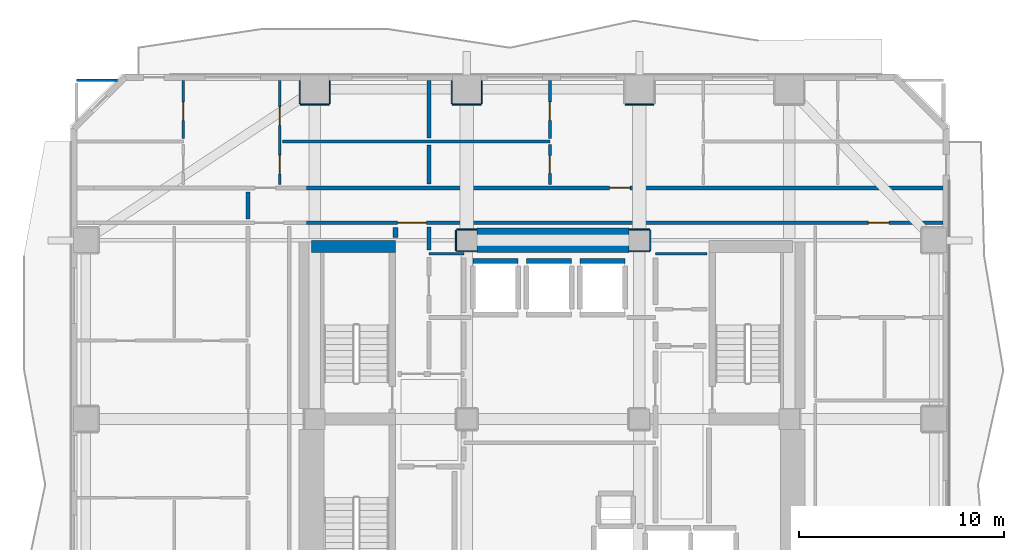
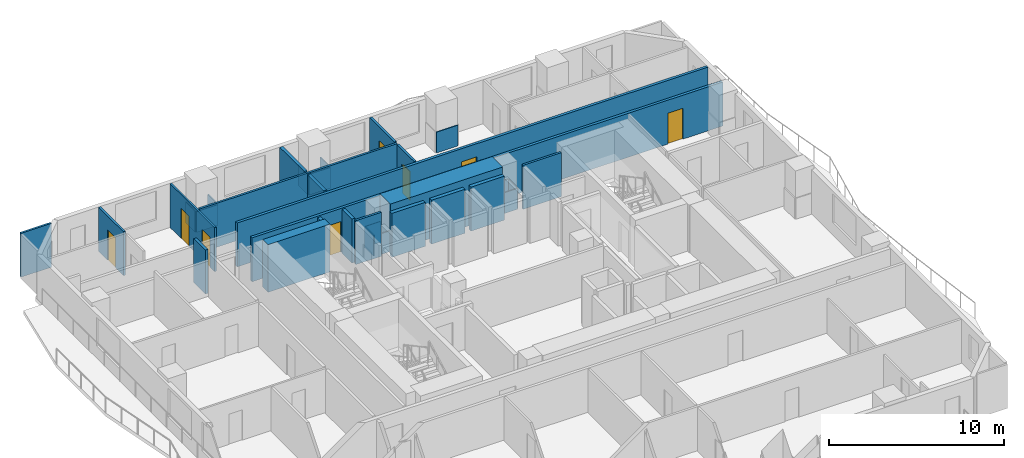
# One storey, part 6 of 11: 33 walls, 8 doors, 8 openings.
"""IFC4 building model written with IfcOpenShell, lengths in metres."""

from ifc_helpers import new_model, si_unit, direction, frame, frame_2d, origin, place, context, subcontext, project, spatial, rectangle, extrude, material, layer, layer_set, type_object, element, fill, save


model = new_model("IFC4")

# Units and contexts
model_context = context("Model", 3, precision=1e-05, world=origin(), true_north=direction((0.0, 1.0)))
body_context = subcontext(model_context, "Body", "Model", "MODEL_VIEW")
ifc_project = project(units=[si_unit("LENGTHUNIT", "METRE"), si_unit("AREAUNIT", "SQUARE_METRE"), si_unit("VOLUMEUNIT", "CUBIC_METRE"), si_unit("PLANEANGLEUNIT", "RADIAN"), si_unit("MASSUNIT", "GRAM", prefix="KILO")], contexts=[model_context])

# Site, building, storey
site_placement = place(None, origin())
site = spatial("IfcSite", under=ifc_project, at=site_placement, CompositionType="ELEMENT")
building_placement = place(site_placement, origin())
building = spatial("IfcBuilding", under=site, at=building_placement, Name="Solanera Arch Residences", CompositionType="ELEMENT")
storey_placement = place(building_placement, frame((0.0, 0.0, 28.639892578125)))
storey = spatial("IfcBuildingStorey", under=building, at=storey_placement, Name="L07", CompositionType="ELEMENT", Elevation=28.639892578125)

# Walls
ifc_material_1 = material(Name="Fire-Rated Gypsum Stud Partition", Category="gypsum")
ifc_layer_1 = layer(ifc_material_1, 0.06005859375)
ifc_layer_set_1 = layer_set([ifc_layer_1], Name="Fire-Rated Gypsum Stud Partition")
wall_type_1 = type_object("IfcWallType", Name="Column Acoustic Furring Wall 60", PredefinedType="PARTITIONING", material=ifc_layer_set_1)
for number, where, z_axis, x_axis, name in (
    (1, (20.300048828125, 38.867919921875, 0.0), (0.0, 0.0, 1.0), (1.0, 0.0, 0.0), "L07 Column Furring 3S"),
    (2, (20.300048828125, 39.931884765625, 0.0), (0.0, 0.0, 1.0), (1.0, 0.0, 0.0), "L07 Column Furring 3N"),
):
    element("IfcWall", number, at=place(storey_placement, frame(where, z_axis=z_axis, x_axis=x_axis)), inside=storey, type_object=wall_type_1, Name=name, PredefinedType="PARTITIONING", context=body_context, shape_type="SweptSolid", body=[
        extrude(rectangle(XDim=0.989990234375, YDim=0.06005859375, at=frame_2d((0.4951171875, 0.0))), origin(), (0.0, 0.0, 1.0), 1.4501953125),
    ])
wall_1_placement = place(storey_placement, frame((20.26806640625, 38.89990234375, 0.0), z_axis=(0.0, 0.0, 1.0), x_axis=(0.0, 1.0, 0.0)))
element("IfcWall", 3, at=wall_1_placement, inside=storey, type_object=wall_type_1, Name="L07 Column Furring 3W", PredefinedType="PARTITIONING", context=body_context, shape_type="SweptSolid", body=[
    extrude(rectangle(XDim=1.0, YDim=0.06005859375, at=frame_2d((0.5, 0.0))), origin(), (0.0, 0.0, 1.0), 1.4501953125),
])
for number, where, z_axis, x_axis, name in (
    (4, (28.7099609375, 38.867919921875, 0.0), (0.0, 0.0, 1.0), (1.0, 0.0, 0.0), "L07 Column Furring 4S"),
    (5, (28.7099609375, 39.931884765625, 0.0), (0.0, 0.0, 1.0), (1.0, 0.0, 0.0), "L07 Column Furring 4N"),
):
    element("IfcWall", number, at=place(storey_placement, frame(where, z_axis=z_axis, x_axis=x_axis)), inside=storey, type_object=wall_type_1, Name=name, PredefinedType="PARTITIONING", context=body_context, shape_type="SweptSolid", body=[
        extrude(rectangle(XDim=0.989990234375, YDim=0.06005859375, at=frame_2d((0.4951171875, 0.0))), origin(), (0.0, 0.0, 1.0), 1.4501953125),
    ])
wall_2_placement = place(storey_placement, frame((29.73193359375, 38.89990234375, 0.0), z_axis=(0.0, 0.0, 1.0), x_axis=(0.0, 1.0, 0.0)))
element("IfcWall", 6, at=wall_2_placement, inside=storey, type_object=wall_type_1, Name="L07 Column Furring 4E", PredefinedType="PARTITIONING", context=body_context, shape_type="SweptSolid", body=[
    extrude(rectangle(XDim=1.0, YDim=0.06005859375, at=frame_2d((0.5, 0.0))), origin(), (0.0, 0.0, 1.0), 1.4501953125),
])
wall_3_placement = place(storey_placement, frame((12.699951171875, 46.01806640625, 0.0), z_axis=(0.0, 0.0, 1.0), x_axis=(1.0, 0.0, 0.0)))
element("IfcWall", 7, at=wall_3_placement, inside=storey, type_object=wall_type_1, Name="L07 Column Furring 10S", PredefinedType="PARTITIONING", context=body_context, shape_type="SweptSolid", body=[
    extrude(rectangle(XDim=1.400146484375, YDim=0.06005859375, at=frame_2d((0.7001953125, 0.0))), origin(), (0.0, 0.0, 1.0), 1.4501953125),
])
for number, where, z_axis, x_axis, name in (
    (8, (12.66796875, 46.050048828125, 0.0), (0.0, 0.0, 1.0), (0.0, 1.0, 0.0), "L07 Column Furring 10W"),
    (9, (14.132080078125, 46.050048828125, 0.0), (0.0, 0.0, 1.0), (0.0, 1.0, 0.0), "L07 Column Furring 10E"),
):
    element("IfcWall", number, at=place(storey_placement, frame(where, z_axis=z_axis, x_axis=x_axis)), inside=storey, type_object=wall_type_1, Name=name, PredefinedType="PARTITIONING", context=body_context, shape_type="SweptSolid", body=[
        extrude(rectangle(XDim=1.119873046875, YDim=0.06005859375, at=frame_2d((0.56005859375, 0.0))), origin(), (0.0, 0.0, 1.0), 1.4501953125),
    ])
wall_4_placement = place(storey_placement, frame((20.10009765625, 46.01806640625, 0.0), z_axis=(0.0, 0.0, 1.0), x_axis=(1.0, 0.0, 0.0)))
element("IfcWall", 10, at=wall_4_placement, inside=storey, type_object=wall_type_1, Name="L07 Column Furring 12S", PredefinedType="PARTITIONING", context=body_context, shape_type="SweptSolid", body=[
    extrude(rectangle(XDim=1.39990234375, YDim=0.06005859375, at=frame_2d((0.699951171875, 0.0))), origin(), (0.0, 0.0, 1.0), 1.4501953125),
])
for number, where, z_axis, x_axis, name in (
    (11, (20.068115234375, 46.050048828125, 0.0), (0.0, 0.0, 1.0), (0.0, 1.0, 0.0), "L07 Column Furring 12W"),
    (12, (21.531982421875, 46.050048828125, 0.0), (0.0, 0.0, 1.0), (0.0, 1.0, 0.0), "L07 Column Furring 12E"),
):
    element("IfcWall", number, at=place(storey_placement, frame(where, z_axis=z_axis, x_axis=x_axis)), inside=storey, type_object=wall_type_1, Name=name, PredefinedType="PARTITIONING", context=body_context, shape_type="SweptSolid", body=[
        extrude(rectangle(XDim=1.119873046875, YDim=0.06005859375, at=frame_2d((0.56005859375, 0.0))), origin(), (0.0, 0.0, 1.0), 1.4501953125),
    ])
wall_5_placement = place(storey_placement, frame((28.5, 46.01806640625, 0.0), z_axis=(0.0, 0.0, 1.0), x_axis=(1.0, 0.0, 0.0)))
element("IfcWall", 13, at=wall_5_placement, inside=storey, type_object=wall_type_1, Name="L07 Column Furring 14S", PredefinedType="PARTITIONING", context=body_context, shape_type="SweptSolid", body=[
    extrude(rectangle(XDim=1.39990234375, YDim=0.06005859375, at=frame_2d((0.699951171875, 0.0))), origin(), (0.0, 0.0, 1.0), 1.4501953125),
])
ifc_material_2 = material(Name="Concrete C55/67 (f'c = 60 MPa)", Category="concrete")
ifc_layer_2 = layer(ifc_material_2, 1.199951171875)
ifc_layer_set_2 = layer_set([ifc_layer_2], Name="Concrete C55/67 (f'c = 60 MPa)")
wall_type_2 = type_object("IfcWallType", Name="Core Shear Wall CW-1200", PredefinedType="SHEAR", material=ifc_layer_set_2)
wall_6_placement = place(storey_placement, frame((21.304931640625, 39.39990234375, 0.0), z_axis=(0.0, 0.0, 1.0), x_axis=(1.0, 0.0, 0.0)))
element("IfcWall", 14, at=wall_6_placement, inside=storey, type_object=wall_type_2, Name="L07 Central North Core Shear Wall", PredefinedType="SHEAR", context=body_context, shape_type="SweptSolid", body=[
    extrude(rectangle(XDim=7.39013671875, YDim=1.199951171875, at=frame_2d((3.695068359375, 0.0))), origin(), (0.0, 0.0, 1.0), 3.320068359375),
])
ifc_material_3 = material(Name="Concrete C40/50 (f'c = 45 MPa)", Category="concrete")
ifc_layer_3 = layer(ifc_material_3, 0.60009765625)
ifc_layer_set_3 = layer_set([ifc_layer_3], Name="Concrete C40/50 (f'c = 45 MPa)")
wall_type_3 = type_object("IfcWallType", Name="Core Shear Wall CW-600", PredefinedType="SHEAR", material=ifc_layer_set_3)
wall_7_placement = place(storey_placement, frame((13.239990234375, 39.10009765625, 0.0), z_axis=(0.0, 0.0, 1.0), x_axis=(1.0, 0.0, 0.0)))
element("IfcWall", 15, at=wall_7_placement, inside=storey, type_object=wall_type_3, Name="L07 North-West Core Shear Wall", PredefinedType="SHEAR", context=body_context, shape_type="SweptSolid", body=[
    extrude(rectangle(XDim=4.080078125, YDim=0.60009765625, at=frame_2d((2.0400390625, 0.0))), origin(), (0.0, 0.0, 1.0), 3.320068359375),
])

# Wall, openings, doors
ifc_material_4 = material(Name="Autoclaved Aerated Concrete Blockwork", Category="masonry")
ifc_layer_4 = layer(ifc_material_4, 0.179931640625)
ifc_layer_set_4 = layer_set([ifc_layer_4], Name="Autoclaved Aerated Concrete Blockwork")
wall_type_4 = type_object("IfcWallType", Name="Corridor Fire Partition 180", PredefinedType="PARTITIONING", material=ifc_layer_set_4)
wall_8_placement = place(storey_placement, frame((12.989013671875, 40.25, 0.0), z_axis=(0.0, 0.0, 1.0), x_axis=(1.0, 0.0, 0.0)))
wall_8 = element("IfcWall", 16, at=wall_8_placement, inside=storey, type_object=wall_type_4, Name="L07 Interior Partition H11 3", PredefinedType="PARTITIONING", context=body_context, shape_type="SweptSolid", body=[
    extrude(rectangle(XDim=30.98388671875, YDim=0.179931640625, at=frame_2d((15.491943359375, 0.0))), origin(), (0.0, 0.0, 1.0), 3.06005859375),
])
opening_1_placement = place(wall_8_placement, frame((4.446044921875, 0.0, 0.0)))
opening_1 = element("IfcOpeningElement", 17, at=opening_1_placement, cuts=wall_8, Name="Opening DF-03", PredefinedType="OPENING", context=body_context, shape_type="SweptSolid", body=[
    extrude(rectangle(XDim=1.39990234375, YDim=2.14990234375, at=frame_2d((0.699951171875, 1.074951171875))), frame((0.0, 0.10009765625, 0.0), z_axis=(0.0, -1.0, 0.0), x_axis=(1.0, 0.0, 0.0)), (0.0, 0.0, 1.0), 0.1999),
])
opening_2_placement = place(wall_8_placement, frame((27.362060546875, 0.0, 0.0)))
opening_2 = element("IfcOpeningElement", 18, at=opening_2_placement, cuts=wall_8, Name="Opening DI-01", PredefinedType="OPENING", context=body_context, shape_type="SweptSolid", body=[
    extrude(rectangle(XDim=1.0, YDim=2.14990234375, at=frame_2d((0.5, 1.074951171875))), frame((0.0, 0.10009765625, 0.0), z_axis=(0.0, -1.0, 0.0), x_axis=(1.0, 0.0, 0.0)), (0.0, 0.0, 1.0), 0.1999),
])
ifc_material_5 = material(Name="Fire-Rated Architectural Hardwood", Category="wood")
door_type_1 = type_object("IfcDoorType", Name="Corridor Smoke Door DF-03", OperationType="NOTDEFINED", PredefinedType="DOOR", material=ifc_material_5)
door_1_placement = place(opening_1_placement, origin())
door_1 = element("IfcDoor", 19, at=door_1_placement, inside=storey, type_object=door_type_1, Name="DR-L07-IN-009", OperationType="SINGLE_SWING_RIGHT", OverallHeight=2.14990234375, OverallWidth=1.39990234375, PredefinedType="DOOR", context=body_context, shape_type="SweptSolid", body=[
    extrude(rectangle(XDim=1.39990234375, YDim=2.14990234375, at=frame_2d((0.699951171875, 1.074951171875))), frame((0.0, 0.02490234375, 0.0), z_axis=(0.0, -1.0, 0.0), x_axis=(1.0, 0.0, 0.0)), (0.0, 0.0, 1.0), 0.050048828125),
])
fill(opening_1, door_1)
ifc_material_6 = material(Name="Fire-Rated Architectural Hardwood", Category="wood")
door_type_2 = type_object("IfcDoorType", Name="Unit Entrance Fire Door DI-01", OperationType="NOTDEFINED", PredefinedType="DOOR", material=ifc_material_6)
door_2_placement = place(opening_2_placement, origin())
door_2 = element("IfcDoor", 20, at=door_2_placement, inside=storey, type_object=door_type_2, Name="DR-L07-IN-046", OperationType="SINGLE_SWING_LEFT", OverallHeight=2.14990234375, OverallWidth=1.0, PredefinedType="DOOR", context=body_context, shape_type="SweptSolid", body=[
    extrude(rectangle(XDim=1.0, YDim=2.14990234375, at=frame_2d((0.5, 1.074951171875))), frame((0.0, 0.02490234375, 0.0), z_axis=(0.0, -1.0, 0.0), x_axis=(1.0, 0.0, 0.0)), (0.0, 0.0, 1.0), 0.050048828125),
])
fill(opening_2, door_2)

# Wall, opening, door
wall_9_placement = place(storey_placement, frame((12.989013671875, 41.949951171875, 0.0), z_axis=(0.0, 0.0, 1.0), x_axis=(1.0, 0.0, 0.0)))
wall_9 = element("IfcWall", 21, at=wall_9_placement, inside=storey, type_object=wall_type_4, Name="L07 Interior Partition H12 3", PredefinedType="PARTITIONING", context=body_context, shape_type="SweptSolid", body=[
    extrude(rectangle(XDim=30.98388671875, YDim=0.179931640625, at=frame_2d((15.491943359375, 0.0))), origin(), (0.0, 0.0, 1.0), 3.06005859375),
])
opening_3_placement = place(wall_9_placement, frame((14.764892578125, 0.0, 0.0)))
opening_3 = element("IfcOpeningElement", 22, at=opening_3_placement, cuts=wall_9, Name="Opening DI-01", PredefinedType="OPENING", context=body_context, shape_type="SweptSolid", body=[
    extrude(rectangle(XDim=1.0, YDim=2.14990234375, at=frame_2d((0.5, 1.074951171875))), frame((0.0, 0.10009765625, 0.0), z_axis=(0.0, -1.0, 0.0), x_axis=(1.0, 0.0, 0.0)), (0.0, 0.0, 1.0), 0.1999),
])
door_3_placement = place(opening_3_placement, origin())
door_3 = element("IfcDoor", 23, at=door_3_placement, inside=storey, type_object=door_type_2, Name="DR-L07-IN-033", OperationType="SINGLE_SWING_RIGHT", OverallHeight=2.14990234375, OverallWidth=1.0, PredefinedType="DOOR", context=body_context, shape_type="SweptSolid", body=[
    extrude(rectangle(XDim=1.0, YDim=2.14990234375, at=frame_2d((0.5, 1.074951171875))), frame((0.0, 0.02490234375, 0.0), z_axis=(0.0, -1.0, 0.0), x_axis=(1.0, 0.0, 0.0)), (0.0, 0.0, 1.0), 0.050048828125),
])
fill(opening_3, door_3)

# Walls
wall_10_placement = place(storey_placement, frame((10.14990234375, 40.43798828125, 0.0), z_axis=(0.0, 0.0, 1.0), x_axis=(0.0, 1.0, 0.0)))
element("IfcWall", 24, at=wall_10_placement, inside=storey, type_object=wall_type_4, Name="L07 Interior Partition V8 5", PredefinedType="PARTITIONING", context=body_context, shape_type="SweptSolid", body=[
    extrude(rectangle(XDim=1.323974609375, YDim=0.179931640625, at=frame_2d((0.662109375, 0.0))), origin(), (0.0, 0.0, 1.0), 3.06005859375),
])
ifc_material_7 = material(Name="Autoclaved Aerated Concrete Blockwork", Category="masonry")
ifc_layer_5 = layer(ifc_material_7, 0.199951171875)
ifc_layer_set_5 = layer_set([ifc_layer_5], Name="Autoclaved Aerated Concrete Blockwork")
wall_type_5 = type_object("IfcWallType", Name="Party Wall Acoustic 200", PredefinedType="PARTITIONING", material=ifc_layer_set_5)
wall_11_placement = place(storey_placement, frame((18.949951171875, 38.927978515625, 0.0), z_axis=(0.0, 0.0, 1.0), x_axis=(0.0, 1.0, 0.0)))
element("IfcWall", 25, at=wall_11_placement, inside=storey, type_object=wall_type_5, Name="L07 Interior Partition V6 3", PredefinedType="PARTITIONING", context=body_context, shape_type="SweptSolid", body=[
    extrude(rectangle(XDim=1.1240234375, YDim=0.199951171875, at=frame_2d((0.56201171875, 0.0))), origin(), (0.0, 0.0, 1.0), 3.06005859375),
])
wall_12_placement = place(storey_placement, frame((18.949951171875, 42.14794921875, 0.0), z_axis=(0.0, 0.0, 1.0), x_axis=(0.0, 1.0, 0.0)))
element("IfcWall", 26, at=wall_12_placement, inside=storey, type_object=wall_type_5, Name="L07 Interior Partition V7 1", PredefinedType="PARTITIONING", context=body_context, shape_type="SweptSolid", body=[
    extrude(rectangle(XDim=1.882080078125, YDim=0.199951171875, at=frame_2d((0.94091796875, 0.0))), origin(), (0.0, 0.0, 1.0), 3.06005859375),
])
wall_13_placement = place(storey_placement, frame((18.949951171875, 44.385986328125, 0.0), z_axis=(0.0, 0.0, 1.0), x_axis=(0.0, 1.0, 0.0)))
element("IfcWall", 27, at=wall_13_placement, inside=storey, type_object=wall_type_5, Name="L07 Interior Partition V7 2", PredefinedType="PARTITIONING", context=body_context, shape_type="SweptSolid", body=[
    extrude(rectangle(XDim=2.787109375, YDim=0.199951171875, at=frame_2d((1.3935546875, 0.0))), origin(), (0.0, 0.0, 1.0), 3.06005859375),
])
ifc_material_8 = material(Name="Autoclaved Aerated Concrete Blockwork", Category="masonry")
ifc_layer_6 = layer(ifc_material_8, 0.239990234375)
ifc_layer_set_6 = layer_set([ifc_layer_6], Name="Autoclaved Aerated Concrete Blockwork")
wall_type_6 = type_object("IfcWallType", Name="Shaft Wall Fire-Rated 240", PredefinedType="PARTITIONING", material=ifc_layer_set_6)
for number, where, z_axis, x_axis, name in (
    (28, (21.10009765625, 38.39990234375, 0.0), (0.0, 0.0, 1.0), (1.0, 0.0, 0.0), "L07 Lift PL-L1 Hoistway Wall N"),
    (29, (23.699951171875, 38.39990234375, 0.0), (0.0, 0.0, 1.0), (1.0, 0.0, 0.0), "L07 Lift PL-L2 Hoistway Wall N"),
    (30, (26.300048828125, 38.39990234375, 0.0), (0.0, 0.0, 1.0), (1.0, 0.0, 0.0), "L07 Lift PL-L3 Hoistway Wall N"),
):
    element("IfcWall", number, at=place(storey_placement, frame(where, z_axis=z_axis, x_axis=x_axis)), inside=storey, type_object=wall_type_6, Name=name, PredefinedType="PARTITIONING", context=body_context, shape_type="SweptSolid", body=[
        extrude(rectangle(XDim=2.199951171875, YDim=0.239990234375, at=frame_2d((1.10009765625, 0.0))), origin(), (0.0, 0.0, 1.0), 3.06005859375),
    ])
wall_14_placement = place(storey_placement, frame((17.320068359375, 39.530029296875, 0.0), z_axis=(0.0, 0.0, 1.0), x_axis=(0.0, 1.0, 0.0)))
element("IfcWall", 31, at=wall_14_placement, inside=storey, type_object=wall_type_6, Name="L07 Interior Partition V1", PredefinedType="PARTITIONING", context=body_context, shape_type="SweptSolid", body=[
    extrude(rectangle(XDim=0.501953125, YDim=0.239990234375, at=frame_2d((0.2509765625, 0.0))), origin(), (0.0, 0.0, 1.0), 3.06005859375),
])
ifc_material_9 = material(Name="Fire-Rated Gypsum Stud Partition", Category="gypsum")
ifc_layer_7 = layer(ifc_material_9, 0.1201171875)
ifc_layer_set_7 = layer_set([ifc_layer_7], Name="Fire-Rated Gypsum Stud Partition")
wall_type_7 = type_object("IfcWallType", Name="Unit Drywall Partition 120", PredefinedType="PARTITIONING", material=ifc_layer_set_7)
wall_15_placement = place(storey_placement, frame((1.800048828125, 47.199951171875, 0.0), z_axis=(0.0, 0.0, 1.0), x_axis=(1.0, 0.0, 0.0)))
element("IfcWall", 32, at=wall_15_placement, inside=storey, type_object=wall_type_7, Name="L07 Interior Partition H24 1", PredefinedType="PARTITIONING", context=body_context, shape_type="SweptSolid", body=[
    extrude(rectangle(XDim=2.0009765625, YDim=0.1201171875, at=frame_2d((1.00048828125, 0.0))), origin(), (0.0, 0.0, 1.0), 3.06005859375),
])

# Wall, openings, doors
wall_16_placement = place(storey_placement, frame((11.68798828125, 42.10791015625, 0.0), z_axis=(0.0, 0.0, 1.0), x_axis=(0.0, 1.0, 0.0)))
wall_16 = element("IfcWall", 33, at=wall_16_placement, inside=storey, type_object=wall_type_7, Name="L07 Interior Partition V23", PredefinedType="PARTITIONING", context=body_context, shape_type="SweptSolid", body=[
    extrude(rectangle(XDim=5.065185546875, YDim=0.1201171875, at=frame_2d((2.53271484375, 0.0))), origin(), (0.0, 0.0, 1.0), 3.06005859375),
])
opening_4_placement = place(wall_16_placement, frame((0.533935546875, 0.0, 0.0)))
opening_4 = element("IfcOpeningElement", 34, at=opening_4_placement, cuts=wall_16, Name="Opening DI-02", PredefinedType="OPENING", context=body_context, shape_type="SweptSolid", body=[
    extrude(rectangle(XDim=0.89990234375, YDim=2.10009765625, at=frame_2d((0.449951171875, 1.050048828125))), frame((0.0, 0.070068359375, 0.0), z_axis=(0.0, -1.0, 0.0), x_axis=(1.0, 0.0, 0.0)), (0.0, 0.0, 1.0), 0.1401),
])
opening_5_placement = place(wall_16_placement, frame((2.89306640625, 0.0, 0.0)))
opening_5 = element("IfcOpeningElement", 35, at=opening_5_placement, cuts=wall_16, Name="Opening DI-03", PredefinedType="OPENING", context=body_context, shape_type="SweptSolid", body=[
    extrude(rectangle(XDim=0.89990234375, YDim=2.10009765625, at=frame_2d((0.449951171875, 1.050048828125))), frame((0.0, 0.070068359375, 0.0), z_axis=(0.0, -1.0, 0.0), x_axis=(1.0, 0.0, 0.0)), (0.0, 0.0, 1.0), 0.1401),
])
ifc_material_10 = material(Name="Fire-Rated Architectural Hardwood", Category="wood")
door_type_3 = type_object("IfcDoorType", Name="Bedroom Swing Door DI-03", OperationType="NOTDEFINED", PredefinedType="DOOR", material=ifc_material_10)
door_4_placement = place(opening_5_placement, origin())
door_4 = element("IfcDoor", 36, at=door_4_placement, inside=storey, type_object=door_type_3, Name="DR-L07-IN-032", OperationType="SINGLE_SWING_LEFT", OverallHeight=2.10009765625, OverallWidth=0.89990234375, PredefinedType="DOOR", context=body_context, shape_type="SweptSolid", body=[
    extrude(rectangle(XDim=0.89990234375, YDim=2.10009765625, at=frame_2d((0.449951171875, 1.050048828125))), frame((0.0, 0.02490234375, 0.0), z_axis=(0.0, -1.0, 0.0), x_axis=(1.0, 0.0, 0.0)), (0.0, 0.0, 1.0), 0.050048828125),
])
fill(opening_5, door_4)
ifc_material_11 = material(Name="Fire-Rated Architectural Hardwood", Category="wood")
door_type_4 = type_object("IfcDoorType", Name="Suite Room Swing Door DI-02", OperationType="NOTDEFINED", PredefinedType="DOOR", material=ifc_material_11)
door_5_placement = place(opening_4_placement, origin())
door_5 = element("IfcDoor", 37, at=door_5_placement, inside=storey, type_object=door_type_4, Name="DR-L07-IN-031", OperationType="SINGLE_SWING_RIGHT", OverallHeight=2.10009765625, OverallWidth=0.89990234375, PredefinedType="DOOR", context=body_context, shape_type="SweptSolid", body=[
    extrude(rectangle(XDim=0.89990234375, YDim=2.10009765625, at=frame_2d((0.449951171875, 1.050048828125))), frame((0.0, 0.02490234375, 0.0), z_axis=(0.0, -1.0, 0.0), x_axis=(1.0, 0.0, 0.0)), (0.0, 0.0, 1.0), 0.050048828125),
])
fill(opening_4, door_5)

# Walls
ifc_material_12 = material(Name="Autoclaved Aerated Concrete Blockwork", Category="masonry")
ifc_layer_8 = layer(ifc_material_12, 0.139892578125)
ifc_layer_set_8 = layer_set([ifc_layer_8], Name="Autoclaved Aerated Concrete Blockwork")
wall_type_8 = type_object("IfcWallType", Name="Wet-Room Partition 140", PredefinedType="PARTITIONING", material=ifc_layer_set_8)
wall_17_placement = place(storey_placement, frame((18.949951171875, 38.75, 0.0), z_axis=(0.0, 0.0, 1.0), x_axis=(1.0, 0.0, 0.0)))
element("IfcWall", 38, at=wall_17_placement, inside=storey, type_object=wall_type_8, Name="L07 Interior Partition H17", PredefinedType="PARTITIONING", context=body_context, shape_type="SweptSolid", body=[
    extrude(rectangle(XDim=1.699951171875, YDim=0.139892578125, at=frame_2d((0.85009765625, 0.0))), origin(), (0.0, 0.0, 1.0), 3.06005859375),
])
wall_18_placement = place(storey_placement, frame((29.97509765625, 38.75, 0.0), z_axis=(0.0, 0.0, 1.0), x_axis=(1.0, 0.0, 0.0)))
element("IfcWall", 39, at=wall_18_placement, inside=storey, type_object=wall_type_8, Name="L07 Interior Partition H18", PredefinedType="PARTITIONING", context=body_context, shape_type="SweptSolid", body=[
    extrude(rectangle(XDim=2.52490234375, YDim=0.139892578125, at=frame_2d((1.262451171875, 0.0))), origin(), (0.0, 0.0, 1.0), 3.06005859375),
])
wall_19_placement = place(storey_placement, frame((11.820068359375, 44.2080078125, 0.0), z_axis=(0.0, 0.0, 1.0), x_axis=(1.0, 0.0, 0.0)))
element("IfcWall", 40, at=wall_19_placement, inside=storey, type_object=wall_type_8, Name="L07 Interior Partition H20", PredefinedType="PARTITIONING", context=body_context, shape_type="SweptSolid", body=[
    extrude(rectangle(XDim=13.02197265625, YDim=0.139892578125, at=frame_2d((6.510986328125, 0.0))), origin(), (0.0, 0.0, 1.0), 3.06005859375),
])

# Wall, opening, door
wall_20_placement = place(storey_placement, frame((6.99609375, 44.35595703125, 0.0), z_axis=(0.0, 0.0, 1.0), x_axis=(0.0, 1.0, 0.0)))
wall_20 = element("IfcWall", 41, at=wall_20_placement, inside=storey, type_object=wall_type_8, Name="L07 Interior Partition V17 2", PredefinedType="PARTITIONING", context=body_context, shape_type="SweptSolid", body=[
    extrude(rectangle(XDim=2.817138671875, YDim=0.139892578125, at=frame_2d((1.40869140625, 0.0))), origin(), (0.0, 0.0, 1.0), 3.06005859375),
])
opening_6_placement = place(wall_20_placement, frame((0.885009765625, 0.0, 0.0)))
opening_6 = element("IfcOpeningElement", 42, at=opening_6_placement, cuts=wall_20, Name="Opening DI-03", PredefinedType="OPENING", context=body_context, shape_type="SweptSolid", body=[
    extrude(rectangle(XDim=0.89990234375, YDim=2.10009765625, at=frame_2d((0.449951171875, 1.050048828125))), frame((0.0, 0.079833984375, 0.0), z_axis=(0.0, -1.0, 0.0), x_axis=(1.0, 0.0, 0.0)), (0.0, 0.0, 1.0), 0.1599),
])
door_6_placement = place(opening_6_placement, origin())
door_6 = element("IfcDoor", 43, at=door_6_placement, inside=storey, type_object=door_type_3, Name="DR-L07-IN-030", OperationType="SINGLE_SWING_LEFT", OverallHeight=2.10009765625, OverallWidth=0.89990234375, PredefinedType="DOOR", context=body_context, shape_type="SweptSolid", body=[
    extrude(rectangle(XDim=0.89990234375, YDim=2.10009765625, at=frame_2d((0.449951171875, 1.050048828125))), frame((0.0, 0.02490234375, 0.0), z_axis=(0.0, -1.0, 0.0), x_axis=(1.0, 0.0, 0.0)), (0.0, 0.0, 1.0), 0.050048828125),
])
fill(opening_6, door_6)

wall_21_placement = place(storey_placement, frame((24.842041015625, 42.117919921875, 0.0), z_axis=(0.0, 0.0, 1.0), x_axis=(0.0, 1.0, 0.0)))
wall_21 = element("IfcWall", 44, at=wall_21_placement, inside=storey, type_object=wall_type_8, Name="L07 Interior Partition V19 1", PredefinedType="PARTITIONING", context=body_context, shape_type="SweptSolid", body=[
    extrude(rectangle(XDim=1.942138671875, YDim=0.139892578125, at=frame_2d((0.97119140625, 0.0))), origin(), (0.0, 0.0, 1.0), 3.06005859375),
])
opening_7_placement = place(wall_21_placement, frame((0.5439453125, 0.0, 0.0)))
opening_7 = element("IfcOpeningElement", 45, at=opening_7_placement, cuts=wall_21, Name="Opening DI-05", PredefinedType="OPENING", context=body_context, shape_type="SweptSolid", body=[
    extrude(rectangle(XDim=0.860107421875, YDim=2.02001953125, at=frame_2d((0.43017578125, 1.010009765625))), frame((0.0, 0.079833984375, 0.0), z_axis=(0.0, -1.0, 0.0), x_axis=(1.0, 0.0, 0.0)), (0.0, 0.0, 1.0), 0.1599),
])
ifc_material_13 = material(Name="Fire-Rated Architectural Hardwood", Category="wood")
door_type_5 = type_object("IfcDoorType", Name="Bathroom Swing Door DI-05", OperationType="NOTDEFINED", PredefinedType="DOOR", material=ifc_material_13)
door_7_placement = place(opening_7_placement, origin())
door_7 = element("IfcDoor", 46, at=door_7_placement, inside=storey, type_object=door_type_5, Name="DR-L07-IN-034", OperationType="SINGLE_SWING_LEFT", OverallHeight=2.02001953125, OverallWidth=0.860107421875, PredefinedType="DOOR", context=body_context, shape_type="SweptSolid", body=[
    extrude(rectangle(XDim=0.860107421875, YDim=2.02001953125, at=frame_2d((0.43017578125, 1.010009765625))), frame((0.0, 0.02490234375, 0.0), z_axis=(0.0, -1.0, 0.0), x_axis=(1.0, 0.0, 0.0)), (0.0, 0.0, 1.0), 0.050048828125),
])
fill(opening_7, door_7)

wall_22_placement = place(storey_placement, frame((24.842041015625, 44.35595703125, 0.0), z_axis=(0.0, 0.0, 1.0), x_axis=(0.0, 1.0, 0.0)))
wall_22 = element("IfcWall", 47, at=wall_22_placement, inside=storey, type_object=wall_type_8, Name="L07 Interior Partition V19 2", PredefinedType="PARTITIONING", context=body_context, shape_type="SweptSolid", body=[
    extrude(rectangle(XDim=2.817138671875, YDim=0.139892578125, at=frame_2d((1.40869140625, 0.0))), origin(), (0.0, 0.0, 1.0), 3.06005859375),
])
opening_8_placement = place(wall_22_placement, frame((0.885009765625, 0.0, 0.0)))
opening_8 = element("IfcOpeningElement", 48, at=opening_8_placement, cuts=wall_22, Name="Opening DI-03", PredefinedType="OPENING", context=body_context, shape_type="SweptSolid", body=[
    extrude(rectangle(XDim=0.89990234375, YDim=2.10009765625, at=frame_2d((0.449951171875, 1.050048828125))), frame((0.0, 0.079833984375, 0.0), z_axis=(0.0, -1.0, 0.0), x_axis=(1.0, 0.0, 0.0)), (0.0, 0.0, 1.0), 0.1599),
])
door_8_placement = place(opening_8_placement, origin())
door_8 = element("IfcDoor", 49, at=door_8_placement, inside=storey, type_object=door_type_3, Name="DR-L07-IN-035", OperationType="SINGLE_SWING_RIGHT", OverallHeight=2.10009765625, OverallWidth=0.89990234375, PredefinedType="DOOR", context=body_context, shape_type="SweptSolid", body=[
    extrude(rectangle(XDim=0.89990234375, YDim=2.10009765625, at=frame_2d((0.449951171875, 1.050048828125))), frame((0.0, 0.02490234375, 0.0), z_axis=(0.0, -1.0, 0.0), x_axis=(1.0, 0.0, 0.0)), (0.0, 0.0, 1.0), 0.050048828125),
])
fill(opening_8, door_8)

save(model, "model.ifc")
